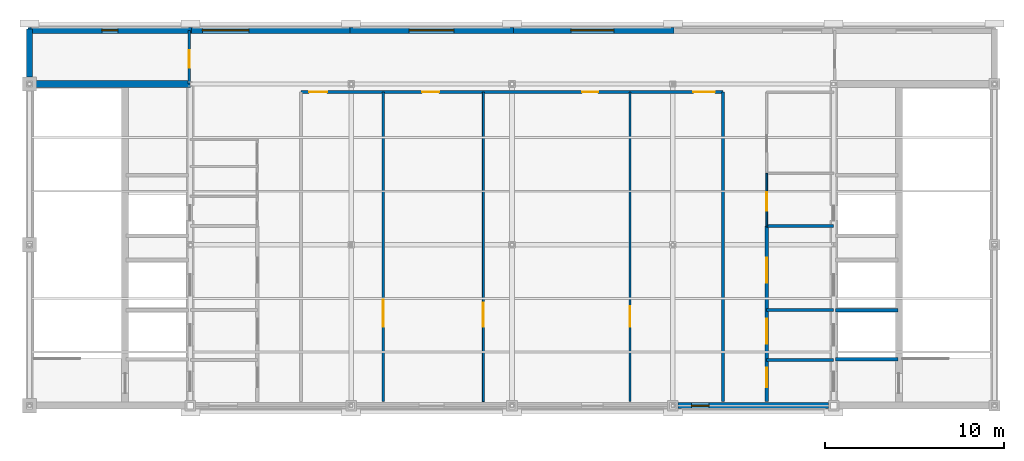
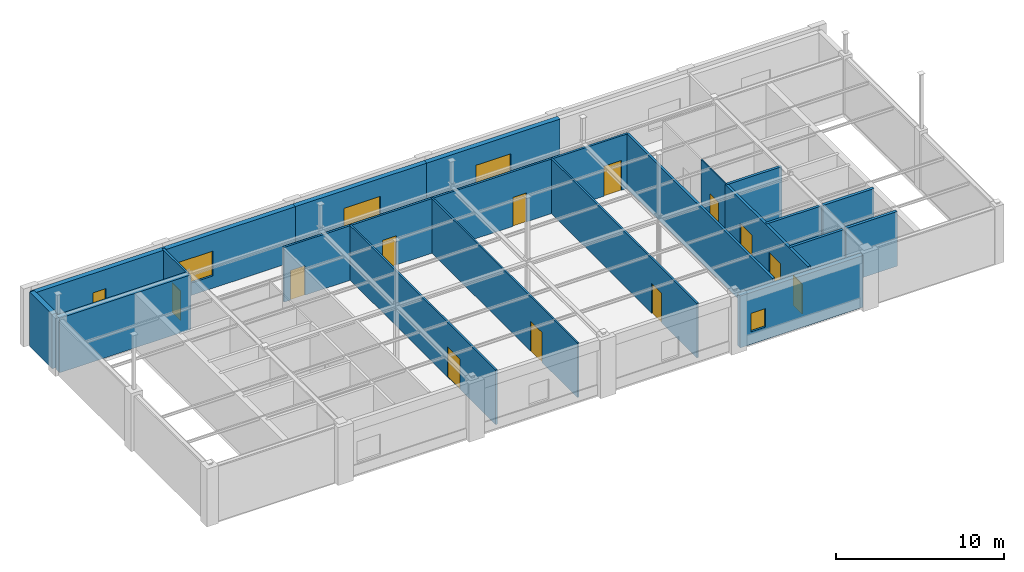
# One storey, part 11 of 13: 20 walls, 12 doors, 5 windows, 17 openings.
"""IFC4 building model written with IfcOpenShell, lengths in metres."""

import ifcopenshell
import ifcopenshell.guid

model = None  # the IFC model being written
_history = None  # IfcOwnerHistory: only IFC2X3 demands one
_inside = {}  # id of a spatial element -> (the spatial element, [elements in it])
_under = {}  # id of a project, library or spatial element -> (it, [spatial elements below it])
_declared = {}  # id of a project -> (the project, [libraries it declares])
_typed = {}  # id of a type object -> (the type object, [elements of that type])
_made_of = {}  # id of a material, layer set ... -> (it, [elements and type objects made of it])


def new_model(schema):
    """Start an empty IFC model of exactly this schema.

    Asked for "IFC4X3", IfcOpenShell would pick the latest addendum, in which some entities
    have other attributes; the version numbers below select the first issue.
    IFC2X3 requires an IfcOwnerHistory on every rooted entity: one is made here for all.
    """
    global model, _history
    if schema == "IFC4X3":
        model = ifcopenshell.file(schema_version=(4, 3, 0, 0))
    else:
        model = ifcopenshell.file(schema=schema)
    _inside.clear()
    _under.clear()
    _declared.clear()
    _typed.clear()
    _made_of.clear()
    _history = None
    if model.schema == "IFC2X3":
        org = make("IfcOrganization", Name="unknown")
        user = make(
            "IfcPersonAndOrganization",
            ThePerson=make("IfcPerson", FamilyName="unknown"),
            TheOrganization=org,
        )
        app = make(
            "IfcApplication",
            ApplicationDeveloper=org,
            Version="unknown",
            ApplicationFullName="unknown",
            ApplicationIdentifier="unknown",
        )
        _history = make(
            "IfcOwnerHistory",
            OwningUser=user,
            OwningApplication=app,
            ChangeAction="ADDED",
            CreationDate=0,
        )
    return model


def make(cls, **values):
    """One entity of the class cls with the attributes given. An attribute that is None is left unset."""
    return model.create_entity(
        cls, **{name: value for name, value in values.items() if value is not None}
    )


def rooted(cls, **values):
    """An entity with a GlobalId (a new one), such as an element, a storey or a relation."""
    return make(cls, GlobalId=ifcopenshell.guid.new(), OwnerHistory=_history, **values)


def si_unit(unit_type, name, prefix=None):
    """IfcSIUnit, for example si_unit("LENGTHUNIT", "METRE", prefix="MILLI")."""
    return make("IfcSIUnit", UnitType=unit_type, Prefix=prefix, Name=name)


def assignment(units):
    """IfcUnitAssignment: the units of a project."""
    return None if units is None else make("IfcUnitAssignment", Units=units)


def point(xyz):
    """IfcCartesianPoint."""
    return None if xyz is None else make("IfcCartesianPoint", Coordinates=xyz)


def direction(xyz):
    """IfcDirection."""
    return None if xyz is None else make("IfcDirection", DirectionRatios=xyz)


def frame(location, z_axis=None, x_axis=None):
    """IfcAxis2Placement3D, a coordinate frame: its origin and axes. An axis left out is left unset."""
    return make(
        "IfcAxis2Placement3D",
        Location=point(location),
        Axis=direction(z_axis),
        RefDirection=direction(x_axis),
    )


def frame_2d(location, x_axis=None):
    """IfcAxis2Placement2D, a coordinate frame in the plane: its origin and x axis."""
    return make(
        "IfcAxis2Placement2D", Location=point(location), RefDirection=direction(x_axis)
    )


def origin():
    """The frame at (0, 0, 0) with its axes left unset."""
    return frame((0.0, 0.0, 0.0))


def place(relative_to, where):
    """IfcLocalPlacement: puts the frame where relative to a parent placement (None: the world)."""
    return make(
        "IfcLocalPlacement", PlacementRelTo=relative_to, RelativePlacement=where
    )


def context(
    kind, dimensions, precision=None, world=None, true_north=None, identifier=None
):
    """IfcGeometricRepresentationContext, for example the 3D "Model" context."""
    return make(
        "IfcGeometricRepresentationContext",
        ContextIdentifier=identifier,
        ContextType=kind,
        CoordinateSpaceDimension=dimensions,
        Precision=precision,
        WorldCoordinateSystem=world,
        TrueNorth=true_north,
    )


def subcontext(parent, identifier, kind, view, scale=None):
    """IfcGeometricRepresentationSubContext, for example "Body" below "Model"."""
    return make(
        "IfcGeometricRepresentationSubContext",
        ContextIdentifier=identifier,
        ContextType=kind,
        ParentContext=parent,
        TargetScale=scale,
        TargetView=view,
    )


def project(units=None, contexts=None):
    """IfcProject with its units and contexts."""
    return rooted(
        "IfcProject",
        Name="project",
        RepresentationContexts=contexts,
        UnitsInContext=assignment(units),
    )


def spatial(cls, under=None, at=None, **own):
    """A site, building, storey or space (cls), placed at a placement, below another one or the project."""
    s = rooted(cls, ObjectPlacement=at, **own)
    if under is not None:
        _under.setdefault(under.id(), (under, []))[1].append(s)
    return s


def profile(cls, at=None, kind="AREA", **sizes):
    """A parametric profile (cls). Its sizes go by their IFC names, for example OverallWidth=200.0."""
    return make(cls, ProfileType=kind, Position=at, **sizes)


def rectangle(**sizes):
    """IfcRectangleProfileDef."""
    return profile("IfcRectangleProfileDef", **sizes)


def extrude(swept, where, along, depth):
    """IfcExtrudedAreaSolid: the profile swept, set in the frame where, extruded along a direction by depth."""
    return make(
        "IfcExtrudedAreaSolid",
        SweptArea=swept,
        Position=where,
        ExtrudedDirection=direction(along),
        Depth=depth,
    )


def shape(context_of_items, identifier, shape_type, items):
    """IfcShapeRepresentation: the items that make up one representation, for example the "Body"."""
    return make(
        "IfcShapeRepresentation",
        ContextOfItems=context_of_items,
        RepresentationIdentifier=identifier,
        RepresentationType=shape_type,
        Items=items,
    )


def material(Name=None, Category=None):
    """IfcMaterial."""
    return make("IfcMaterial", Name=Name, Category=Category)


def layer(
    of_material, thickness, ventilated=None, Name=None, Category=None, Priority=None
):
    """IfcMaterialLayer: one layer of a wall or slab, of a material (None: an air gap)."""
    return make(
        "IfcMaterialLayer",
        Material=of_material,
        LayerThickness=thickness,
        IsVentilated=ventilated,
        Name=Name,
        Category=Category,
        Priority=Priority,
    )


def layer_set(layers, Name=None):
    """IfcMaterialLayerSet."""
    return make("IfcMaterialLayerSet", MaterialLayers=layers, LayerSetName=Name)


def made_of(thing, what):
    """Note that an element or type object is made of a material, layer set ...; save() writes the relation."""
    if what is not None:
        _made_of.setdefault(what.id(), (what, []))[1].append(thing)
    return thing


def type_object(cls, material=None, **own):
    """A type object (cls), such as IfcWallType, which elements share."""
    return made_of(rooted(cls, **own), material)


def element(
    cls,
    number,
    at=None,
    inside=None,
    cuts=None,
    type_object=None,
    material=None,
    context=None,
    identifier="Body",
    shape_type=None,
    held_by="IfcProductDefinitionShape",
    body=None,
    shapes=None,
    **own,
):
    """One element of the class cls, such as IfcWall. Its Tag is "e" and its number.

    at: its placement. inside: the storey or other place that contains it. cuts: it is an
    opening in that element (IfcRelVoidsElement). A single representation is given by context,
    identifier, shape_type and body (its items); several are given by shapes. held_by: the class
    of the entity that holds the representations. save() writes the other relations.
    """
    e = rooted(cls, Tag="e%d" % number, ObjectPlacement=at, **own)
    if body is not None:
        shapes = [shape(context, identifier, shape_type, body)]
    if shapes is not None:
        e.Representation = make(held_by, Representations=shapes)
    if inside is not None:
        _inside.setdefault(inside.id(), (inside, []))[1].append(e)
    if cuts is not None:
        rooted(
            "IfcRelVoidsElement", RelatingBuildingElement=cuts, RelatedOpeningElement=e
        )
    if type_object is not None:
        _typed.setdefault(type_object.id(), (type_object, []))[1].append(e)
    return made_of(e, material)


def fill(opening, filler):
    """IfcRelFillsElement: the door or window that sits in an opening."""
    return rooted(
        "IfcRelFillsElement",
        RelatingOpeningElement=opening,
        RelatedBuildingElement=filler,
    )


def aggregate(whole, parts):
    """IfcRelAggregates: a whole, such as a stair, and the parts it consists of."""
    return rooted("IfcRelAggregates", RelatingObject=whole, RelatedObjects=parts)


def save(model, path):
    """Write the relations noted so far, then the file.

    IfcRelAggregates (storeys below a building ...), IfcRelContainedInSpatialStructure (elements
    in a storey), IfcRelDefinesByType, IfcRelAssociatesMaterial and IfcRelDeclares: one each for
    every whole, place, type object, material and project.
    """
    for whole, parts in _under.values():
        aggregate(whole, parts)
    for where, things in _inside.values():
        rooted(
            "IfcRelContainedInSpatialStructure",
            RelatedElements=things,
            RelatingStructure=where,
        )
    for kind, things in _typed.values():
        rooted("IfcRelDefinesByType", RelatedObjects=things, RelatingType=kind)
    for what, things in _made_of.values():
        rooted("IfcRelAssociatesMaterial", RelatedObjects=things, RelatingMaterial=what)
    for by, libraries in _declared.values():
        rooted("IfcRelDeclares", RelatingContext=by, RelatedDefinitions=libraries)
    model.write(path)


model = new_model("IFC4")

# Units and contexts
model_context = context("Model", 3, precision=1e-05, world=origin(), true_north=direction((0.0, 1.0)))
body_context = subcontext(model_context, "Body", "Model", "MODEL_VIEW")
ifc_project = project(units=[si_unit("LENGTHUNIT", "METRE"), si_unit("AREAUNIT", "SQUARE_METRE"), si_unit("VOLUMEUNIT", "CUBIC_METRE"), si_unit("PLANEANGLEUNIT", "RADIAN"), si_unit("MASSUNIT", "GRAM", prefix="KILO")], contexts=[model_context])

# Site, building, storey
site_placement = place(None, origin())
site = spatial("IfcSite", under=ifc_project, at=site_placement, CompositionType="ELEMENT")
building_placement = place(site_placement, origin())
building = spatial("IfcBuilding", under=site, at=building_placement, Name="Lykobir Media Centre", CompositionType="ELEMENT")
storey_placement = place(building_placement, frame((0.0, 0.0, 36.0)))
storey = spatial("IfcBuildingStorey", under=building, at=storey_placement, Name="L08", CompositionType="ELEMENT", Elevation=36.0)

# Wall, opening, window
ifc_material_1 = material(Name="Architectural Ochre Brick", Category="masonry")
ifc_layer_1 = layer(ifc_material_1, 0.330078125, Name="Architectural Ochre Brick")
ifc_layer_set_1 = layer_set([ifc_layer_1], Name="Architectural Ochre Brick")
wall_type_1 = type_object("IfcWallType", Name="EW-BRK-330", PredefinedType="STANDARD", material=ifc_layer_set_1)
wall_1_placement = place(storey_placement, frame((36.074951171875, 21.0, 0.0), z_axis=(0.0, 0.0, 1.0), x_axis=(-1.0, 0.0, 0.0)))
wall_1 = element("IfcWall", 1, at=wall_1_placement, inside=storey, type_object=wall_type_1, Name="Exterior wall WALL-L08-0373", PredefinedType="STANDARD", context=body_context, shape_type="SweptSolid", body=[
    extrude(rectangle(XDim=9.14990234375, YDim=0.330078125, at=frame_2d((4.574951171875, 0.0))), origin(), (0.0, 0.0, 1.0), 3.93994140625),
])
opening_1_placement = place(wall_1_placement, frame((4.125, 0.0, 0.89990234375)))
opening_1 = element("IfcOpeningElement", 2, at=opening_1_placement, cuts=wall_1, Name="Opening WN-0900x1650", PredefinedType="OPENING", context=body_context, shape_type="SweptSolid", body=[
    extrude(rectangle(XDim=0.89990234375, YDim=1.64990234375, at=frame_2d((0.449951171875, 0.824951171875))), frame((0.0, 0.175048828125, 0.0), z_axis=(0.0, -1.0, 0.0), x_axis=(1.0, 0.0, 0.0)), (0.0, 0.0, 1.0), 0.35009765625),
])
ifc_material_2 = material(Name="Low-E Laminated Triple Glazing", Category="glass")
window_type_1 = type_object("IfcWindowType", Name="WN-0900x1650", PartitioningType="SINGLE_PANEL", PredefinedType="WINDOW", material=ifc_material_2)
window_1_placement = place(opening_1_placement, origin())
window_1 = element("IfcWindow", 3, at=window_1_placement, inside=storey, type_object=window_type_1, Name="Window WIN-L08-0173", OverallHeight=1.64990234375, OverallWidth=0.89990234375, PartitioningType="SINGLE_PANEL", PredefinedType="WINDOW", context=body_context, shape_type="SweptSolid", body=[
    extrude(rectangle(XDim=0.89990234375, YDim=1.64990234375, at=frame_2d((0.449951171875, 0.824951171875))), frame((0.0, 0.030029296875, 0.0), z_axis=(0.0, -1.0, 0.0), x_axis=(1.0, 0.0, 0.0)), (0.0, 0.0, 1.0), 0.06005859375),
])
fill(opening_1, window_1)

wall_2_placement = place(storey_placement, frame((45.074951171875, 21.0, 0.0), z_axis=(0.0, 0.0, 1.0), x_axis=(-1.0, 0.0, 0.0)))
wall_2 = element("IfcWall", 4, at=wall_2_placement, inside=storey, type_object=wall_type_1, Name="Exterior wall WALL-L08-0374", PredefinedType="STANDARD", context=body_context, shape_type="SweptSolid", body=[
    extrude(rectangle(XDim=9.14990234375, YDim=0.330078125, at=frame_2d((4.574951171875, 0.0))), origin(), (0.0, 0.0, 1.0), 3.93994140625),
])
opening_2_placement = place(wall_2_placement, frame((5.800048828125, 0.0, 0.89990234375)))
opening_2 = element("IfcOpeningElement", 5, at=opening_2_placement, cuts=wall_2, Name="Opening WN-2600x1800", PredefinedType="OPENING", context=body_context, shape_type="SweptSolid", body=[
    extrude(rectangle(XDim=2.60009765625, YDim=1.800048828125, at=frame_2d((1.300048828125, 0.89990234375))), frame((0.0, 0.175048828125, 0.0), z_axis=(0.0, -1.0, 0.0), x_axis=(1.0, 0.0, 0.0)), (0.0, 0.0, 1.0), 0.35009765625),
])
window_type_2 = type_object("IfcWindowType", Name="WN-2600x1800", PartitioningType="SINGLE_PANEL", PredefinedType="WINDOW", material=ifc_material_2)
window_2_placement = place(opening_2_placement, origin())
window_2 = element("IfcWindow", 6, at=window_2_placement, inside=storey, type_object=window_type_2, Name="Window WIN-L08-0174", OverallHeight=1.800048828125, OverallWidth=2.60009765625, PartitioningType="SINGLE_PANEL", PredefinedType="WINDOW", context=body_context, shape_type="SweptSolid", body=[
    extrude(rectangle(XDim=2.60009765625, YDim=1.800048828125, at=frame_2d((1.300048828125, 0.89990234375))), frame((0.0, 0.030029296875, 0.0), z_axis=(0.0, -1.0, 0.0), x_axis=(1.0, 0.0, 0.0)), (0.0, 0.0, 1.0), 0.06005859375),
])
fill(opening_2, window_2)

wall_3_placement = place(storey_placement, frame((54.074951171875, 21.0, 0.0), z_axis=(0.0, 0.0, 1.0), x_axis=(-1.0, 0.0, 0.0)))
wall_3 = element("IfcWall", 7, at=wall_3_placement, inside=storey, type_object=wall_type_1, Name="Exterior wall WALL-L08-0375", PredefinedType="STANDARD", context=body_context, shape_type="SweptSolid", body=[
    extrude(rectangle(XDim=9.14990234375, YDim=0.330078125, at=frame_2d((4.574951171875, 0.0))), origin(), (0.0, 0.0, 1.0), 3.93994140625),
])
opening_3_placement = place(wall_3_placement, frame((3.324951171875, 0.0, 0.89990234375)))
opening_3 = element("IfcOpeningElement", 8, at=opening_3_placement, cuts=wall_3, Name="Opening WN-2500x1750", PredefinedType="OPENING", context=body_context, shape_type="SweptSolid", body=[
    extrude(rectangle(XDim=2.5, YDim=1.75, at=frame_2d((1.25, 0.875))), frame((0.0, 0.175048828125, 0.0), z_axis=(0.0, -1.0, 0.0), x_axis=(1.0, 0.0, 0.0)), (0.0, 0.0, 1.0), 0.35009765625),
])
window_type_3 = type_object("IfcWindowType", Name="WN-2500x1750", PartitioningType="SINGLE_PANEL", PredefinedType="WINDOW", material=ifc_material_2)
window_3_placement = place(opening_3_placement, origin())
window_3 = element("IfcWindow", 9, at=window_3_placement, inside=storey, type_object=window_type_3, Name="Window WIN-L08-0175", OverallHeight=1.75, OverallWidth=2.5, PartitioningType="SINGLE_PANEL", PredefinedType="WINDOW", context=body_context, shape_type="SweptSolid", body=[
    extrude(rectangle(XDim=2.5, YDim=1.75, at=frame_2d((1.25, 0.875))), frame((0.0, 0.030029296875, 0.0), z_axis=(0.0, -1.0, 0.0), x_axis=(1.0, 0.0, 0.0)), (0.0, 0.0, 1.0), 0.06005859375),
])
fill(opening_3, window_3)

wall_4_placement = place(storey_placement, frame((63.074951171875, 21.0, 0.0), z_axis=(0.0, 0.0, 1.0), x_axis=(-1.0, 0.0, 0.0)))
wall_4 = element("IfcWall", 10, at=wall_4_placement, inside=storey, type_object=wall_type_1, Name="Exterior wall WALL-L08-0376", PredefinedType="STANDARD", context=body_context, shape_type="SweptSolid", body=[
    extrude(rectangle(XDim=9.14990234375, YDim=0.330078125, at=frame_2d((4.574951171875, 0.0))), origin(), (0.0, 0.0, 1.0), 3.93994140625),
])
opening_4_placement = place(wall_4_placement, frame((3.375, 0.0, 0.89990234375)))
opening_4 = element("IfcOpeningElement", 11, at=opening_4_placement, cuts=wall_4, Name="Opening WN-2400x1700", PredefinedType="OPENING", context=body_context, shape_type="SweptSolid", body=[
    extrude(rectangle(XDim=2.39990234375, YDim=1.699951171875, at=frame_2d((1.199951171875, 0.85009765625))), frame((0.0, 0.175048828125, 0.0), z_axis=(0.0, -1.0, 0.0), x_axis=(1.0, 0.0, 0.0)), (0.0, 0.0, 1.0), 0.35009765625),
])
window_type_4 = type_object("IfcWindowType", Name="WN-2400x1700", PartitioningType="SINGLE_PANEL", PredefinedType="WINDOW", material=ifc_material_2)
window_4_placement = place(opening_4_placement, origin())
window_4 = element("IfcWindow", 12, at=window_4_placement, inside=storey, type_object=window_type_4, Name="Window WIN-L08-0176", OverallHeight=1.699951171875, OverallWidth=2.39990234375, PartitioningType="SINGLE_PANEL", PredefinedType="WINDOW", context=body_context, shape_type="SweptSolid", body=[
    extrude(rectangle(XDim=2.39990234375, YDim=1.699951171875, at=frame_2d((1.199951171875, 0.85009765625))), frame((0.0, 0.030029296875, 0.0), z_axis=(0.0, -1.0, 0.0), x_axis=(1.0, 0.0, 0.0)), (0.0, 0.0, 1.0), 0.06005859375),
])
fill(opening_4, window_4)

# Wall
wall_5_placement = place(storey_placement, frame((27.0, 21.074951171875, 0.0), z_axis=(0.0, 0.0, 1.0), x_axis=(0.0, -1.0, 0.0)))
element("IfcWall", 13, at=wall_5_placement, inside=storey, type_object=wall_type_1, Name="Exterior wall WALL-L08-0379", PredefinedType="STANDARD", context=body_context, shape_type="SweptSolid", body=[
    extrude(rectangle(XDim=2.68994140625, YDim=0.330078125, at=frame_2d((1.344970703125, 0.0))), origin(), (0.0, 0.0, 1.0), 3.93994140625),
])

# Wall, opening, window
wall_6_placement = place(storey_placement, frame((63.284912109375, 0.0, 0.0), z_axis=(0.0, 0.0, 1.0), x_axis=(1.0, 0.0, 0.0)))
wall_6 = element("IfcWall", 14, at=wall_6_placement, inside=storey, type_object=wall_type_1, Name="Exterior wall WALL-L08-0383", PredefinedType="STANDARD", context=body_context, shape_type="SweptSolid", body=[
    extrude(rectangle(XDim=8.43017578125, YDim=0.330078125, at=frame_2d((4.215087890625, 0.0))), origin(), (0.0, 0.0, 1.0), 3.7548828125),
])
opening_5_placement = place(wall_6_placement, frame((0.75, 0.0, 0.89990234375)))
opening_5 = element("IfcOpeningElement", 15, at=opening_5_placement, cuts=wall_6, Name="Opening WN-1000x1350", PredefinedType="OPENING", context=body_context, shape_type="SweptSolid", body=[
    extrude(rectangle(XDim=1.0, YDim=1.35009765625, at=frame_2d((0.5, 0.675048828125))), frame((0.0, 0.175048828125, 0.0), z_axis=(0.0, -1.0, 0.0), x_axis=(1.0, 0.0, 0.0)), (0.0, 0.0, 1.0), 0.35009765625),
])
window_type_5 = type_object("IfcWindowType", Name="WN-1000x1350", PartitioningType="SINGLE_PANEL", PredefinedType="WINDOW", material=ifc_material_2)
window_5_placement = place(opening_5_placement, origin())
window_5 = element("IfcWindow", 16, at=window_5_placement, inside=storey, type_object=window_type_5, Name="Window WIN-L08-0182", OverallHeight=1.35009765625, OverallWidth=1.0, PartitioningType="SINGLE_PANEL", PredefinedType="WINDOW", context=body_context, shape_type="SweptSolid", body=[
    extrude(rectangle(XDim=1.0, YDim=1.35009765625, at=frame_2d((0.5, 0.675048828125))), frame((0.0, 0.030029296875, 0.0), z_axis=(0.0, -1.0, 0.0), x_axis=(1.0, 0.0, 0.0)), (0.0, 0.0, 1.0), 0.06005859375),
])
fill(opening_5, window_5)

# Wall, openings, doors
ifc_material_3 = material(Name="Acoustic Gypsum Board", Category="gypsum")
ifc_layer_2 = layer(ifc_material_3, 0.14501953125, Name="Acoustic Gypsum Board")
ifc_layer_set_2 = layer_set([ifc_layer_2], Name="Acoustic Gypsum Board")
wall_type_2 = type_object("IfcWallType", Name="IW-COR-145", PredefinedType="PARTITIONING", material=ifc_layer_set_2)
wall_7_placement = place(storey_placement, frame((42.199951171875, 17.550048828125, 0.0), z_axis=(0.0, 0.0, 1.0), x_axis=(1.0, 0.0, 0.0)))
wall_7 = element("IfcWall", 17, at=wall_7_placement, inside=storey, type_object=wall_type_2, Name="Wall IWALL-L08-0790", PredefinedType="PARTITIONING", context=body_context, shape_type="SweptSolid", body=[
    extrude(rectangle(XDim=23.60009765625, YDim=0.14501953125, at=frame_2d((11.800048828125, 0.0))), origin(), (0.0, 0.0, 1.0), 3.9599609375),
])
opening_6_placement = place(wall_7_placement, frame((0.449951171875, 0.0, 0.0)))
opening_6 = element("IfcOpeningElement", 18, at=opening_6_placement, cuts=wall_7, Name="Opening D-L08-V7R1", PredefinedType="OPENING", context=body_context, shape_type="SweptSolid", body=[
    extrude(rectangle(XDim=1.0, YDim=2.139892578125, at=frame_2d((0.5, 1.06982421875))), frame((0.0, 0.08251953125, 0.0), z_axis=(0.0, -1.0, 0.0), x_axis=(1.0, 0.0, 0.0)), (0.0, 0.0, 1.0), 0.1650390625),
])
opening_7_placement = place(wall_7_placement, frame((6.76904296875, 0.0, 0.0)))
opening_7 = element("IfcOpeningElement", 19, at=opening_7_placement, cuts=wall_7, Name="Opening D-L08-V7R2", PredefinedType="OPENING", context=body_context, shape_type="SweptSolid", body=[
    extrude(rectangle(XDim=0.949951171875, YDim=2.1201171875, at=frame_2d((0.47509765625, 1.06005859375))), frame((0.0, 0.08251953125, 0.0), z_axis=(0.0, -1.0, 0.0), x_axis=(1.0, 0.0, 0.0)), (0.0, 0.0, 1.0), 0.1650390625),
])
opening_8_placement = place(wall_7_placement, frame((15.717041015625, 0.0, 0.0)))
opening_8 = element("IfcOpeningElement", 20, at=opening_8_placement, cuts=wall_7, Name="Opening D-L08-V7R3", PredefinedType="OPENING", context=body_context, shape_type="SweptSolid", body=[
    extrude(rectangle(XDim=0.89990234375, YDim=2.10009765625, at=frame_2d((0.449951171875, 1.050048828125))), frame((0.0, 0.08251953125, 0.0), z_axis=(0.0, -1.0, 0.0), x_axis=(1.0, 0.0, 0.0)), (0.0, 0.0, 1.0), 0.1650390625),
])
opening_9_placement = place(wall_7_placement, frame((21.949951171875, 0.0, 0.0)))
opening_9 = element("IfcOpeningElement", 21, at=opening_9_placement, cuts=wall_7, Name="Opening D-L08-V7R4", PredefinedType="OPENING", context=body_context, shape_type="SweptSolid", body=[
    extrude(rectangle(XDim=1.199951171875, YDim=2.179931640625, at=frame_2d((0.60009765625, 1.08984375))), frame((0.0, 0.08251953125, 0.0), z_axis=(0.0, -1.0, 0.0), x_axis=(1.0, 0.0, 0.0)), (0.0, 0.0, 1.0), 0.1650390625),
])
ifc_material_4 = material(Name="Acoustic Timber Panelling", Category="wood")
door_type_1 = type_object("IfcDoorType", Name="FD-0900x2100", OperationType="NOTDEFINED", PredefinedType="DOOR", material=ifc_material_4)
door_1_placement = place(opening_8_placement, origin())
door_1 = element("IfcDoor", 22, at=door_1_placement, inside=storey, type_object=door_type_1, Name="Door D-L08-V7R3", OperationType="SINGLE_SWING_LEFT", OverallHeight=2.10009765625, OverallWidth=0.89990234375, PredefinedType="DOOR", context=body_context, shape_type="SweptSolid", body=[
    extrude(rectangle(XDim=0.89990234375, YDim=2.10009765625, at=frame_2d((0.449951171875, 1.050048828125))), frame((0.0, 0.02490234375, 0.0), z_axis=(0.0, -1.0, 0.0), x_axis=(1.0, 0.0, 0.0)), (0.0, 0.0, 1.0), 0.050048828125),
])
fill(opening_8, door_1)
door_type_2 = type_object("IfcDoorType", Name="FD-0950x2120", OperationType="NOTDEFINED", PredefinedType="DOOR", material=ifc_material_4)
door_2_placement = place(opening_7_placement, origin())
door_2 = element("IfcDoor", 23, at=door_2_placement, inside=storey, type_object=door_type_2, Name="Door D-L08-V7R2", OperationType="SINGLE_SWING_LEFT", OverallHeight=2.1201171875, OverallWidth=0.949951171875, PredefinedType="DOOR", context=body_context, shape_type="SweptSolid", body=[
    extrude(rectangle(XDim=0.949951171875, YDim=2.1201171875, at=frame_2d((0.47509765625, 1.06005859375))), frame((0.0, 0.02490234375, 0.0), z_axis=(0.0, -1.0, 0.0), x_axis=(1.0, 0.0, 0.0)), (0.0, 0.0, 1.0), 0.050048828125),
])
fill(opening_7, door_2)
door_type_3 = type_object("IfcDoorType", Name="FD-1000x2140", OperationType="NOTDEFINED", PredefinedType="DOOR", material=ifc_material_4)
door_3_placement = place(opening_6_placement, origin())
door_3 = element("IfcDoor", 24, at=door_3_placement, inside=storey, type_object=door_type_3, Name="Door D-L08-V7R1", OperationType="SINGLE_SWING_LEFT", OverallHeight=2.139892578125, OverallWidth=1.0, PredefinedType="DOOR", context=body_context, shape_type="SweptSolid", body=[
    extrude(rectangle(XDim=1.0, YDim=2.139892578125, at=frame_2d((0.5, 1.06982421875))), frame((0.0, 0.02490234375, 0.0), z_axis=(0.0, -1.0, 0.0), x_axis=(1.0, 0.0, 0.0)), (0.0, 0.0, 1.0), 0.050048828125),
])
fill(opening_6, door_3)
door_type_4 = type_object("IfcDoorType", Name="FD-1200x2180", OperationType="NOTDEFINED", PredefinedType="DOOR", material=ifc_material_4)
door_4_placement = place(opening_9_placement, origin())
door_4 = element("IfcDoor", 25, at=door_4_placement, inside=storey, type_object=door_type_4, Name="Door D-L08-V7R4", OperationType="SINGLE_SWING_LEFT", OverallHeight=2.179931640625, OverallWidth=1.199951171875, PredefinedType="DOOR", context=body_context, shape_type="SweptSolid", body=[
    extrude(rectangle(XDim=1.199951171875, YDim=2.179931640625, at=frame_2d((0.60009765625, 1.08984375))), frame((0.0, 0.02490234375, 0.0), z_axis=(0.0, -1.0, 0.0), x_axis=(1.0, 0.0, 0.0)), (0.0, 0.0, 1.0), 0.050048828125),
])
fill(opening_9, door_4)

# Wall, opening, door
wall_8_placement = place(storey_placement, frame((35.949951171875, 18.0, 0.0), z_axis=(0.0, 0.0, 1.0), x_axis=(0.0, 1.0, 0.0)))
wall_8 = element("IfcWall", 26, at=wall_8_placement, inside=storey, type_object=wall_type_2, Name="Wall IWALL-L08-0796", PredefinedType="PARTITIONING", context=body_context, shape_type="SweptSolid", body=[
    extrude(rectangle(XDim=3.0, YDim=0.14501953125, at=frame_2d((1.5, 0.0))), origin(), (0.0, 0.0, 1.0), 3.9599609375),
])
opening_10_placement = place(wall_8_placement, frame((0.89990234375, 0.0, 0.0)))
opening_10 = element("IfcOpeningElement", 27, at=opening_10_placement, cuts=wall_8, Name="Opening D-L08-ENDW", PredefinedType="OPENING", context=body_context, shape_type="SweptSolid", body=[
    extrude(rectangle(XDim=1.0, YDim=2.139892578125, at=frame_2d((0.5, 1.06982421875))), frame((0.0, 0.08251953125, 0.0), z_axis=(0.0, -1.0, 0.0), x_axis=(1.0, 0.0, 0.0)), (0.0, 0.0, 1.0), 0.1650390625),
])
door_5_placement = place(opening_10_placement, origin())
door_5 = element("IfcDoor", 28, at=door_5_placement, inside=storey, type_object=door_type_3, Name="Door D-L08-ENDW", OperationType="SINGLE_SWING_RIGHT", OverallHeight=2.139892578125, OverallWidth=1.0, PredefinedType="DOOR", context=body_context, shape_type="SweptSolid", body=[
    extrude(rectangle(XDim=1.0, YDim=2.139892578125, at=frame_2d((0.5, 1.06982421875))), frame((0.0, 0.02490234375, 0.0), z_axis=(0.0, -1.0, 0.0), x_axis=(1.0, 0.0, 0.0)), (0.0, 0.0, 1.0), 0.050048828125),
])
fill(opening_10, door_5)

# Wall
ifc_layer_3 = layer(ifc_material_3, 0.159912109375, Name="Acoustic Gypsum Board")
ifc_layer_set_3 = layer_set([ifc_layer_3], Name="Acoustic Gypsum Board")
wall_type_3 = type_object("IfcWallType", Name="IW-COR-160", PredefinedType="PARTITIONING", material=ifc_layer_set_3)
wall_9_placement = place(storey_placement, frame((65.800048828125, 0.219970703125, 0.0), z_axis=(0.0, 0.0, 1.0), x_axis=(0.0, 1.0, 0.0)))
element("IfcWall", 29, at=wall_9_placement, inside=storey, type_object=wall_type_3, Name="Wall IWALL-L08-0792", PredefinedType="PARTITIONING", context=body_context, shape_type="SweptSolid", body=[
    extrude(rectangle(XDim=17.330078125, YDim=0.159912109375, at=frame_2d((8.6650390625, 0.0))), origin(), (0.0, 0.0, 1.0), 3.9599609375),
])

# Wall, openings, doors
ifc_layer_4 = layer(ifc_material_3, 0.179931640625, Name="Acoustic Gypsum Board")
ifc_layer_set_4 = layer_set([ifc_layer_4], Name="Acoustic Gypsum Board")
wall_type_4 = type_object("IfcWallType", Name="IW-FFLOB-180", PredefinedType="PARTITIONING", material=ifc_layer_set_4)
wall_10_placement = place(storey_placement, frame((68.25, 0.219970703125, 0.0), z_axis=(0.0, 0.0, 1.0), x_axis=(0.0, 1.0, 0.0)))
wall_10 = element("IfcWall", 30, at=wall_10_placement, inside=storey, type_object=wall_type_4, Name="Wall IWALL-L08-0337", PredefinedType="PARTITIONING", context=body_context, shape_type="SweptSolid", body=[
    extrude(rectangle(XDim=9.830078125, YDim=0.179931640625, at=frame_2d((4.9150390625, 0.0))), origin(), (0.0, 0.0, 1.0), 3.9599609375),
])
opening_11_placement = place(wall_10_placement, frame((0.800048828125, 0.0, 0.0)))
opening_11 = element("IfcOpeningElement", 31, at=opening_11_placement, cuts=wall_10, Name="Opening D-L08-C2LV", PredefinedType="OPENING", context=body_context, shape_type="SweptSolid", body=[
    extrude(rectangle(XDim=1.10009765625, YDim=2.159912109375, at=frame_2d((0.550048828125, 1.080078125))), frame((0.0, 0.099853515625, 0.0), z_axis=(0.0, -1.0, 0.0), x_axis=(1.0, 0.0, 0.0)), (0.0, 0.0, 1.0), 0.199951171875),
])
opening_12_placement = place(wall_10_placement, frame((3.25, 0.0, 0.0)))
opening_12 = element("IfcOpeningElement", 32, at=opening_12_placement, cuts=wall_10, Name="Opening D-L08-C2PL", PredefinedType="OPENING", context=body_context, shape_type="SweptSolid", body=[
    extrude(rectangle(XDim=1.39990234375, YDim=2.199951171875, at=frame_2d((0.699951171875, 1.10009765625))), frame((0.0, 0.099853515625, 0.0), z_axis=(0.0, -1.0, 0.0), x_axis=(1.0, 0.0, 0.0)), (0.0, 0.0, 1.0), 0.199951171875),
])
opening_13_placement = place(wall_10_placement, frame((6.64990234375, 0.0, 0.0)))
opening_13 = element("IfcOpeningElement", 33, at=opening_13_placement, cuts=wall_10, Name="Opening D-L08-C2FF", PredefinedType="OPENING", context=body_context, shape_type="SweptSolid", body=[
    extrude(rectangle(XDim=1.39990234375, YDim=2.199951171875, at=frame_2d((0.699951171875, 1.10009765625))), frame((0.0, 0.099853515625, 0.0), z_axis=(0.0, -1.0, 0.0), x_axis=(1.0, 0.0, 0.0)), (0.0, 0.0, 1.0), 0.199951171875),
])
door_type_5 = type_object("IfcDoorType", Name="FD-1100x2160", OperationType="NOTDEFINED", PredefinedType="DOOR", material=ifc_material_4)
door_6_placement = place(opening_11_placement, origin())
door_6 = element("IfcDoor", 34, at=door_6_placement, inside=storey, type_object=door_type_5, Name="Door D-L08-C2LV", OperationType="SINGLE_SWING_RIGHT", OverallHeight=2.159912109375, OverallWidth=1.10009765625, PredefinedType="DOOR", context=body_context, shape_type="SweptSolid", body=[
    extrude(rectangle(XDim=1.10009765625, YDim=2.159912109375, at=frame_2d((0.550048828125, 1.080078125))), frame((0.0, 0.02490234375, 0.0), z_axis=(0.0, -1.0, 0.0), x_axis=(1.0, 0.0, 0.0)), (0.0, 0.0, 1.0), 0.050048828125),
])
fill(opening_11, door_6)
door_type_6 = type_object("IfcDoorType", Name="FD-1400x2200", OperationType="NOTDEFINED", PredefinedType="DOOR", material=ifc_material_4)
door_7_placement = place(opening_12_placement, origin())
door_7 = element("IfcDoor", 35, at=door_7_placement, inside=storey, type_object=door_type_6, Name="Door D-L08-C2PL", OperationType="DOUBLE_DOOR_SINGLE_SWING", OverallHeight=2.199951171875, OverallWidth=1.39990234375, PredefinedType="DOOR", context=body_context, shape_type="SweptSolid", body=[
    extrude(rectangle(XDim=1.39990234375, YDim=2.199951171875, at=frame_2d((0.699951171875, 1.10009765625))), frame((0.0, 0.02490234375, 0.0), z_axis=(0.0, -1.0, 0.0), x_axis=(1.0, 0.0, 0.0)), (0.0, 0.0, 1.0), 0.050048828125),
])
fill(opening_12, door_7)
door_8_placement = place(opening_13_placement, origin())
door_8 = element("IfcDoor", 36, at=door_8_placement, inside=storey, type_object=door_type_6, Name="Door D-L08-C2FF", OperationType="DOUBLE_DOOR_SINGLE_SWING", OverallHeight=2.199951171875, OverallWidth=1.39990234375, PredefinedType="DOOR", context=body_context, shape_type="SweptSolid", body=[
    extrude(rectangle(XDim=1.39990234375, YDim=2.199951171875, at=frame_2d((0.699951171875, 1.10009765625))), frame((0.0, 0.02490234375, 0.0), z_axis=(0.0, -1.0, 0.0), x_axis=(1.0, 0.0, 0.0)), (0.0, 0.0, 1.0), 0.050048828125),
])
fill(opening_13, door_8)

# Walls
for number, where, z_axis, x_axis, name in (
    (37, (68.25, 2.550048828125, 0.0), (0.0, 0.0, 1.0), (1.0, 0.0, 0.0), "Wall IWALL-L08-0338"),
    (38, (68.25, 5.35009765625, 0.0), (0.0, 0.0, 1.0), (1.0, 0.0, 0.0), "Wall IWALL-L08-0339"),
    (39, (68.25, 10.050048828125, 0.0), (0.0, 0.0, 1.0), (1.0, 0.0, 0.0), "Wall IWALL-L08-0340"),
):
    element("IfcWall", number, at=place(storey_placement, frame(where, z_axis=z_axis, x_axis=x_axis)), inside=storey, type_object=wall_type_4, Name=name, PredefinedType="PARTITIONING", context=body_context, shape_type="SweptSolid", body=[
        extrude(rectangle(XDim=3.75, YDim=0.179931640625, at=frame_2d((1.875, 0.0))), origin(), (0.0, 0.0, 1.0), 3.9599609375),
    ])

# Wall, opening, door
ifc_layer_5 = layer(ifc_material_3, 0.110107421875, Name="Acoustic Gypsum Board")
ifc_layer_set_5 = layer_set([ifc_layer_5], Name="Acoustic Gypsum Board")
wall_type_5 = type_object("IfcWallType", Name="IW-RM-110", PredefinedType="PARTITIONING", material=ifc_layer_set_5)
wall_11_placement = place(storey_placement, frame((52.39990234375, 0.219970703125, 0.0), z_axis=(0.0, 0.0, 1.0), x_axis=(0.0, 1.0, 0.0)))
wall_11 = element("IfcWall", 40, at=wall_11_placement, inside=storey, type_object=wall_type_5, Name="Wall IWALL-L08-0794", PredefinedType="PARTITIONING", context=body_context, shape_type="SweptSolid", body=[
    extrude(rectangle(XDim=17.330078125, YDim=0.110107421875, at=frame_2d((8.6650390625, 0.0))), origin(), (0.0, 0.0, 1.0), 3.9599609375),
])
opening_14_placement = place(wall_11_placement, frame((4.199951171875, 0.0, 0.0)))
opening_14 = element("IfcOpeningElement", 41, at=opening_14_placement, cuts=wall_11, Name="Opening D-L08-V7S2", PredefinedType="OPENING", context=body_context, shape_type="SweptSolid", body=[
    extrude(rectangle(XDim=1.35009765625, YDim=2.179931640625, at=frame_2d((0.675048828125, 1.08984375))), frame((0.0, 0.06494140625, 0.0), z_axis=(0.0, -1.0, 0.0), x_axis=(1.0, 0.0, 0.0)), (0.0, 0.0, 1.0), 0.130126953125),
])
door_type_7 = type_object("IfcDoorType", Name="ID-1350x2180", OperationType="NOTDEFINED", PredefinedType="DOOR", material=ifc_material_4)
door_9_placement = place(opening_14_placement, origin())
door_9 = element("IfcDoor", 42, at=door_9_placement, inside=storey, type_object=door_type_7, Name="Door D-L08-V7S2", OperationType="SINGLE_SWING_RIGHT", OverallHeight=2.179931640625, OverallWidth=1.35009765625, PredefinedType="DOOR", context=body_context, shape_type="SweptSolid", body=[
    extrude(rectangle(XDim=1.35009765625, YDim=2.179931640625, at=frame_2d((0.675048828125, 1.08984375))), frame((0.0, 0.02490234375, 0.0), z_axis=(0.0, -1.0, 0.0), x_axis=(1.0, 0.0, 0.0)), (0.0, 0.0, 1.0), 0.050048828125),
])
fill(opening_14, door_9)

ifc_layer_6 = layer(ifc_material_3, 0.125, Name="Acoustic Gypsum Board")
ifc_layer_set_6 = layer_set([ifc_layer_6], Name="Acoustic Gypsum Board")
wall_type_6 = type_object("IfcWallType", Name="IW-RM-125", PredefinedType="PARTITIONING", material=ifc_layer_set_6)
wall_12_placement = place(storey_placement, frame((46.800048828125, 0.219970703125, 0.0), z_axis=(0.0, 0.0, 1.0), x_axis=(0.0, 1.0, 0.0)))
wall_12 = element("IfcWall", 43, at=wall_12_placement, inside=storey, type_object=wall_type_6, Name="Wall IWALL-L08-0793", PredefinedType="PARTITIONING", context=body_context, shape_type="SweptSolid", body=[
    extrude(rectangle(XDim=17.330078125, YDim=0.125, at=frame_2d((8.6650390625, 0.0))), origin(), (0.0, 0.0, 1.0), 3.9599609375),
])
opening_15_placement = place(wall_12_placement, frame((4.199951171875, 0.0, 0.0)))
opening_15 = element("IfcOpeningElement", 44, at=opening_15_placement, cuts=wall_12, Name="Opening D-L08-V7S1", PredefinedType="OPENING", context=body_context, shape_type="SweptSolid", body=[
    extrude(rectangle(XDim=1.5, YDim=2.199951171875, at=frame_2d((0.75, 1.10009765625))), frame((0.0, 0.072509765625, 0.0), z_axis=(0.0, -1.0, 0.0), x_axis=(1.0, 0.0, 0.0)), (0.0, 0.0, 1.0), 0.14501953125),
])
door_type_8 = type_object("IfcDoorType", Name="ID-1500x2200", OperationType="NOTDEFINED", PredefinedType="DOOR", material=ifc_material_4)
door_10_placement = place(opening_15_placement, origin())
door_10 = element("IfcDoor", 45, at=door_10_placement, inside=storey, type_object=door_type_8, Name="Door D-L08-V7S1", OperationType="SINGLE_SWING_RIGHT", OverallHeight=2.199951171875, OverallWidth=1.5, PredefinedType="DOOR", context=body_context, shape_type="SweptSolid", body=[
    extrude(rectangle(XDim=1.5, YDim=2.199951171875, at=frame_2d((0.75, 1.10009765625))), frame((0.0, 0.02490234375, 0.0), z_axis=(0.0, -1.0, 0.0), x_axis=(1.0, 0.0, 0.0)), (0.0, 0.0, 1.0), 0.050048828125),
])
fill(opening_15, door_10)

wall_13_placement = place(storey_placement, frame((60.60009765625, 0.219970703125, 0.0), z_axis=(0.0, 0.0, 1.0), x_axis=(0.0, 1.0, 0.0)))
wall_13 = element("IfcWall", 46, at=wall_13_placement, inside=storey, type_object=wall_type_6, Name="Wall IWALL-L08-0795", PredefinedType="PARTITIONING", context=body_context, shape_type="SweptSolid", body=[
    extrude(rectangle(XDim=17.330078125, YDim=0.125, at=frame_2d((8.6650390625, 0.0))), origin(), (0.0, 0.0, 1.0), 3.9599609375),
])
opening_16_placement = place(wall_13_placement, frame((4.199951171875, 0.0, 0.0)))
opening_16 = element("IfcOpeningElement", 47, at=opening_16_placement, cuts=wall_13, Name="Opening D-L08-V7S3", PredefinedType="OPENING", context=body_context, shape_type="SweptSolid", body=[
    extrude(rectangle(XDim=1.14990234375, YDim=2.14990234375, at=frame_2d((0.574951171875, 1.074951171875))), frame((0.0, 0.072509765625, 0.0), z_axis=(0.0, -1.0, 0.0), x_axis=(1.0, 0.0, 0.0)), (0.0, 0.0, 1.0), 0.14501953125),
])
door_type_9 = type_object("IfcDoorType", Name="ID-1150x2150", OperationType="NOTDEFINED", PredefinedType="DOOR", material=ifc_material_4)
door_11_placement = place(opening_16_placement, origin())
door_11 = element("IfcDoor", 48, at=door_11_placement, inside=storey, type_object=door_type_9, Name="Door D-L08-V7S3", OperationType="SINGLE_SWING_RIGHT", OverallHeight=2.14990234375, OverallWidth=1.14990234375, PredefinedType="DOOR", context=body_context, shape_type="SweptSolid", body=[
    extrude(rectangle(XDim=1.14990234375, YDim=2.14990234375, at=frame_2d((0.574951171875, 1.074951171875))), frame((0.0, 0.02490234375, 0.0), z_axis=(0.0, -1.0, 0.0), x_axis=(1.0, 0.0, 0.0)), (0.0, 0.0, 1.0), 0.050048828125),
])
fill(opening_16, door_11)

# Walls
ifc_material_5 = material(Name="Concrete C30/37", Category="concrete")
ifc_layer_7 = layer(ifc_material_5, 0.199951171875, Name="Concrete C30/37")
ifc_layer_set_7 = layer_set([ifc_layer_7], Name="Concrete C30/37")
wall_type_7 = type_object("IfcWallType", Name="IW-SHAFT-200", PredefinedType="PARTITIONING", material=ifc_layer_set_7)
for number, where, z_axis, x_axis, name in (
    (49, (72.10009765625, 2.60009765625, 0.0), (0.0, 0.0, 1.0), (1.0, 0.0, 0.0), "Wall IWALL-L08-0332"),
    (50, (72.10009765625, 5.35009765625, 0.0), (0.0, 0.0, 1.0), (1.0, 0.0, 0.0), "Wall IWALL-L08-0333"),
):
    element("IfcWall", number, at=place(storey_placement, frame(where, z_axis=z_axis, x_axis=x_axis)), inside=storey, type_object=wall_type_7, Name=name, PredefinedType="PARTITIONING", context=body_context, shape_type="SweptSolid", body=[
        extrude(rectangle(XDim=3.5, YDim=0.199951171875, at=frame_2d((1.75, 0.0))), origin(), (0.0, 0.0, 1.0), 3.9599609375),
    ])

# Wall, opening, door
ifc_layer_8 = layer(ifc_material_3, 0.094970703125, Name="Acoustic Gypsum Board")
ifc_layer_set_8 = layer_set([ifc_layer_8], Name="Acoustic Gypsum Board")
wall_type_8 = type_object("IfcWallType", Name="IW-WC-095", PredefinedType="PARTITIONING", material=ifc_layer_set_8)
wall_14_placement = place(storey_placement, frame((68.25, 10.050048828125, 0.0), z_axis=(0.0, 0.0, 1.0), x_axis=(0.0, 1.0, 0.0)))
wall_14 = element("IfcWall", 51, at=wall_14_placement, inside=storey, type_object=wall_type_8, Name="Wall IWALL-L08-0341", PredefinedType="PARTITIONING", context=body_context, shape_type="SweptSolid", body=[
    extrude(rectangle(XDim=2.949951171875, YDim=0.094970703125, at=frame_2d((1.47509765625, 0.0))), origin(), (0.0, 0.0, 1.0), 3.9599609375),
])
opening_17_placement = place(wall_14_placement, frame((0.85009765625, 0.0, 0.0)))
opening_17 = element("IfcOpeningElement", 52, at=opening_17_placement, cuts=wall_14, Name="Opening D-L08-WCA2", PredefinedType="OPENING", context=body_context, shape_type="SweptSolid", body=[
    extrude(rectangle(XDim=1.050048828125, YDim=2.1298828125, at=frame_2d((0.52490234375, 1.06494140625))), frame((0.0, 0.057373046875, 0.0), z_axis=(0.0, -1.0, 0.0), x_axis=(1.0, 0.0, 0.0)), (0.0, 0.0, 1.0), 0.114990234375),
])
door_type_10 = type_object("IfcDoorType", Name="ID-1050x2130", OperationType="NOTDEFINED", PredefinedType="DOOR", material=ifc_material_4)
door_12_placement = place(opening_17_placement, origin())
door_12 = element("IfcDoor", 53, at=door_12_placement, inside=storey, type_object=door_type_10, Name="Door D-L08-WCA2", OperationType="SINGLE_SWING_LEFT", OverallHeight=2.1298828125, OverallWidth=1.050048828125, PredefinedType="DOOR", context=body_context, shape_type="SweptSolid", body=[
    extrude(rectangle(XDim=1.050048828125, YDim=2.1298828125, at=frame_2d((0.52490234375, 1.06494140625))), frame((0.0, 0.02490234375, 0.0), z_axis=(0.0, -1.0, 0.0), x_axis=(1.0, 0.0, 0.0)), (0.0, 0.0, 1.0), 0.050048828125),
])
fill(opening_17, door_12)

# Wall
ifc_material_6 = material(Name="Concrete C40/50", Category="concrete")
ifc_layer_9 = layer(ifc_material_6, 0.39990234375, Name="Concrete C40/50")
ifc_layer_set_9 = layer_set([ifc_layer_9], Name="Concrete C40/50")
wall_type_9 = type_object("IfcWallType", Name="SW-CORE-400-E", PredefinedType="SHEAR", material=ifc_layer_set_9)
wall_15_placement = place(storey_placement, frame((36.0, 18.0, 0.0), z_axis=(0.0, 0.0, 1.0), x_axis=(-1.0, 0.0, 0.0)))
element("IfcWall", 54, at=wall_15_placement, inside=storey, type_object=wall_type_9, Name="Wall IWALL-L08-0165", PredefinedType="SHEAR", context=body_context, shape_type="SweptSolid", body=[
    extrude(rectangle(XDim=9.0, YDim=0.39990234375, at=frame_2d((4.5, 0.0))), origin(), (0.0, 0.0, 1.0), 3.9599609375),
])

save(model, "model.ifc")
